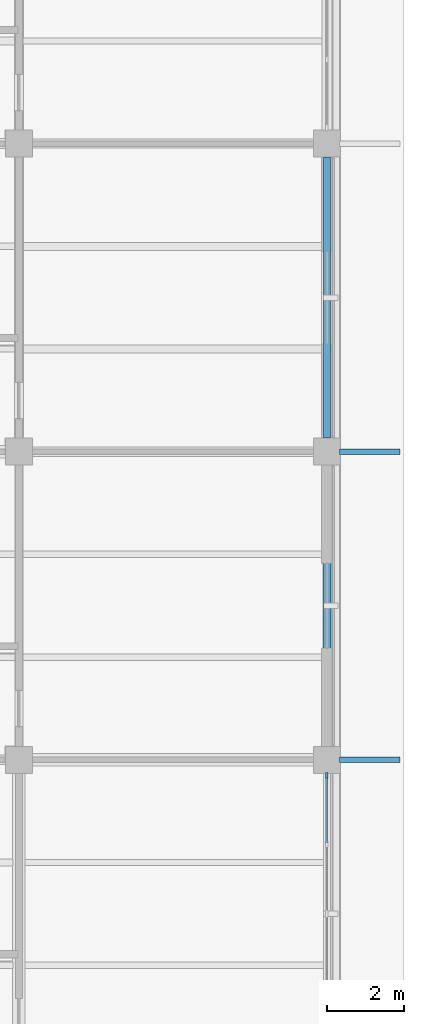
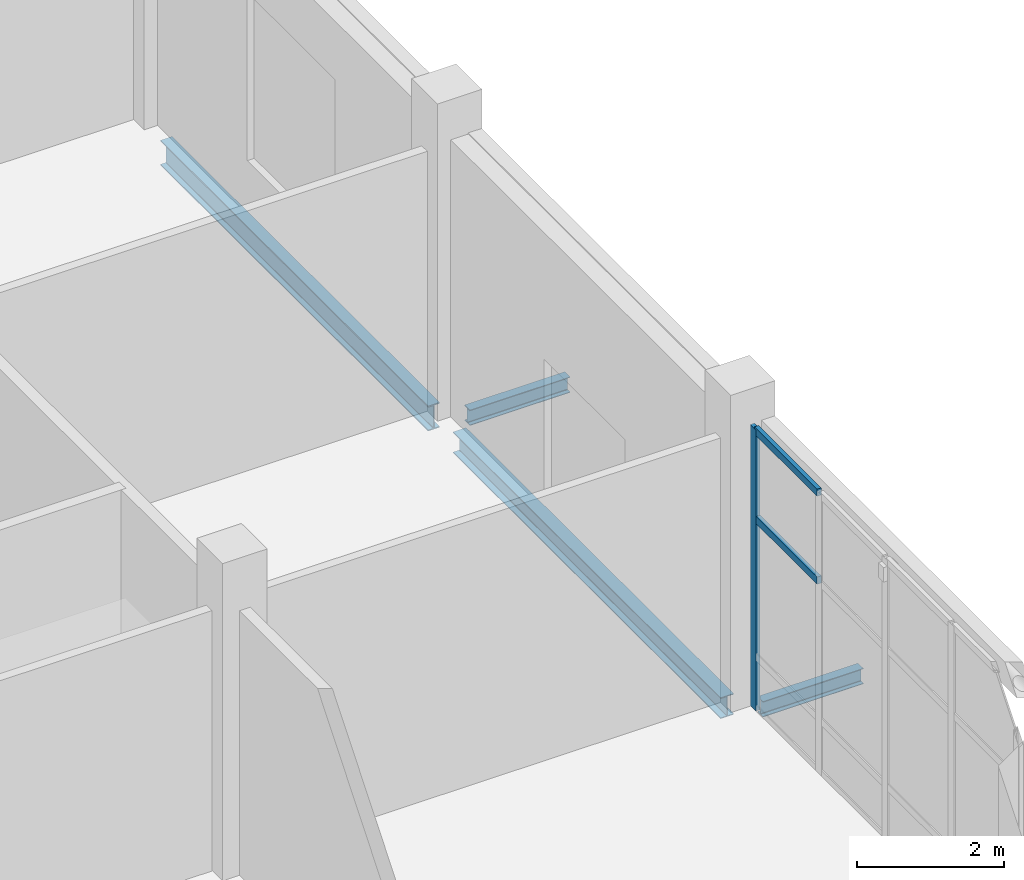
# One storey, part 41 of 105: 4 beams, 3 members, 1 element without a shape of its own.
"""IFC4 building model written with IfcOpenShell, lengths in metres."""

from ifc_helpers import new_model, si_unit, derived_unit, direction, frame, origin, origin_2d, place, context, subcontext, project, spatial, rectangle, i_section, extrude, material, layer, layer_set, material_profile, profile_set, type_object, element, aggregate, save


model = new_model("IFC4")

# Units and contexts
model_context = context("Model", 3, precision=1e-05, world=origin(), true_north=direction((0.0, 1.0)))
body_context = subcontext(model_context, "Body", "Model", "MODEL_VIEW")
ifc_project = project(units=[si_unit("LENGTHUNIT", "METRE"), si_unit("AREAUNIT", "SQUARE_METRE"), si_unit("VOLUMEUNIT", "CUBIC_METRE"), si_unit("PLANEANGLEUNIT", "RADIAN"), si_unit("MASSUNIT", "GRAM", prefix="KILO"), derived_unit("THERMALTRANSMITTANCEUNIT", [(si_unit("MASSUNIT", "GRAM", prefix="KILO"), 1), (si_unit("TIMEUNIT", "SECOND"), -3), (si_unit("THERMODYNAMICTEMPERATUREUNIT", "KELVIN"), -1)])], contexts=[model_context])

# Site, building, storey
site_placement = place(None, origin())
site = spatial("IfcSite", under=ifc_project, at=site_placement, CompositionType="ELEMENT")
building_placement = place(site_placement, origin())
building = spatial("IfcBuilding", under=site, at=building_placement, Name="Veyamyaing Civic Hall", CompositionType="ELEMENT")
storey_placement = place(building_placement, origin())
storey = spatial("IfcBuildingStorey", under=building, at=storey_placement, Name="L00", CompositionType="ELEMENT", Elevation=0.0)

# Beams
ifc_material_1 = material(Name="Steel ASTM A992", Category="steel")
ifc_material_profile_1 = material_profile(ifc_material_1, i_section(OverallWidth=0.2041015625, OverallDepth=0.35009765625, WebThickness=0.0078125, FlangeThickness=0.01513671875, FilletRadius=0.010009765625, at=origin_2d()), Name="W360X72")
ifc_profile_set_1 = profile_set([ifc_material_profile_1], Name="Steel ASTM A992")
beam_type_1 = type_object("IfcBeamType", Name="B-11", PredefinedType="SPANDREL", material=ifc_profile_set_1)
beam_1_placement = place(storey_placement, frame((176.0, 48.35009765625, -0.43994140625), z_axis=(0.0, 1.0, 0.0), x_axis=(-1.0, 0.0, 0.0)))
element("IfcBeam", 1, at=beam_1_placement, inside=storey, type_object=beam_type_1, Name="Girder B-11 L00 Grid 23 G-H", PredefinedType="SPANDREL", context=body_context, shape_type="SweptSolid", body=[
    extrude(i_section(OverallWidth=0.2041015625, OverallDepth=0.35009765625, WebThickness=0.0078125, FlangeThickness=0.01513671875, FilletRadius=0.010009765625, at=origin_2d()), origin(), (0.0, 0.0, 1.0), 7.2998046875),
])
ifc_material_profile_2 = material_profile(ifc_material_1, i_section(OverallWidth=0.14599609375, OverallDepth=0.258056640625, WebThickness=0.006103515625, FlangeThickness=0.009033203125, FilletRadius=0.010009765625, at=origin_2d()), Name="W250X33")
ifc_profile_set_2 = profile_set([ifc_material_profile_2], Name="Steel ASTM A992")
beam_type_2 = type_object("IfcBeamType", Name="B-12", PredefinedType="BEAM", material=ifc_profile_set_2)
for number, where, z_axis, x_axis, name in (
    (2, (176.320068359375, 48.0, -0.34912109375), (1.0, 0.0, 0.0), (0.0, 1.0, 0.0), "Colonnade deck transverse beam B-12 E.6"),
    (3, (176.320068359375, 56.0, -0.34912109375), (1.0, 0.0, 0.0), (0.0, 1.0, 0.0), "Colonnade deck transverse beam B-12 E.7"),
):
    element("IfcBeam", number, at=place(storey_placement, frame(where, z_axis=z_axis, x_axis=x_axis)), inside=storey, type_object=beam_type_2, Name=name, PredefinedType="BEAM", context=body_context, shape_type="SweptSolid", body=[
        extrude(i_section(OverallWidth=0.14599609375, OverallDepth=0.258056640625, WebThickness=0.006103515625, FlangeThickness=0.009033203125, FilletRadius=0.010009765625, at=origin_2d()), origin(), (0.0, 0.0, 1.0), 1.579833984375),
    ])
ifc_material_profile_3 = material_profile(ifc_material_1, i_section(OverallWidth=0.180908203125, OverallDepth=0.4169921875, WebThickness=0.010986328125, FlangeThickness=0.018310546875, FilletRadius=0.010009765625, at=origin_2d()), Name="W410X85")
ifc_profile_set_3 = profile_set([ifc_material_profile_3], Name="Steel ASTM A992")
beam_type_3 = type_object("IfcBeamType", Name="B-19", PredefinedType="SPANDREL", material=ifc_profile_set_3)
beam_2_placement = place(storey_placement, frame((176.0, 56.35009765625, -0.473388671875), z_axis=(0.0, 1.0, 0.0), x_axis=(-1.0, 0.0, 0.0)))
element("IfcBeam", 4, at=beam_2_placement, inside=storey, type_object=beam_type_3, Name="Girder B-19 L00 Grid 23 H-J", PredefinedType="SPANDREL", context=body_context, shape_type="SweptSolid", body=[
    extrude(i_section(OverallWidth=0.180908203125, OverallDepth=0.4169921875, WebThickness=0.010986328125, FlangeThickness=0.018310546875, FilletRadius=0.010009765625, at=origin_2d()), origin(), (0.0, 0.0, 1.0), 7.2998046875),
])

# Curtain wall, members
ifc_material_2 = material(Name="Anodised aluminium 6063-T6", Category="aluminium")
ifc_layer = layer(ifc_material_2, 0.159912109375, Name="Anodised aluminium 6063-T6")
ifc_layer_set = layer_set([ifc_layer], Name="Anodised aluminium 6063-T6")
curtain_wall_type = type_object("IfcCurtainWallType", Name="CW-01", PredefinedType="NOTDEFINED", material=ifc_layer_set)
curtain_wall_placement = place(storey_placement, origin())
curtain_wall = element("IfcCurtainWall", 5, at=curtain_wall_placement, inside=storey, type_object=curtain_wall_type, Name="Unitized curtain wall CW-01 L00 E 22.6", PredefinedType="NOTDEFINED")
ifc_material_profile_4 = material_profile(ifc_material_2, rectangle(XDim=0.06494140625, YDim=0.159912109375, at=origin_2d()), Name="ALU-MUL-65X160")
ifc_profile_set_4 = profile_set([ifc_material_profile_4], Name="Anodised aluminium 6063-T6")
member_type_1 = type_object("IfcMemberType", Name="CWM-01", PredefinedType="MULLION", material=ifc_profile_set_4)
member_1_placement = place(storey_placement, frame((176.0, 47.58740234375, 0.0), z_axis=(0.0, 0.0, 1.0), x_axis=(-1.0, 0.0, 0.0)))
member_1 = element("IfcMember", 6, at=member_1_placement, type_object=member_type_1, Name="CW-01 mullion 5", PredefinedType="MULLION", context=body_context, shape_type="SweptSolid", body=[
    extrude(rectangle(XDim=0.06494140625, YDim=0.159912109375, at=origin_2d()), origin(), (0.0, 0.0, 1.0), 4.677001953125),
])
ifc_material_profile_5 = material_profile(ifc_material_2, rectangle(XDim=0.06494140625, YDim=0.1201171875, at=origin_2d()), Name="ALU-TRN-65X120")
ifc_profile_set_5 = profile_set([ifc_material_profile_5], Name="Anodised aluminium 6063-T6")
member_type_2 = type_object("IfcMemberType", Name="CWT-01", PredefinedType="USERDEFINED", material=ifc_profile_set_5)
member_2_placement = place(storey_placement, frame((176.0, 45.842529296875, 3.180419921875), z_axis=(0.0, 1.0, 0.0), x_axis=(-1.0, 0.0, 0.0)))
member_2 = element("IfcMember", 7, at=member_2_placement, type_object=member_type_2, Name="CW-01 transom 4.3", ObjectType="TRANSOM", PredefinedType="USERDEFINED", context=body_context, shape_type="SweptSolid", body=[
    extrude(rectangle(XDim=0.06494140625, YDim=0.1201171875, at=origin_2d()), origin(), (0.0, 0.0, 1.0), 1.71240234375),
])
member_3_placement = place(storey_placement, frame((176.0, 45.842529296875, 4.64453125), z_axis=(0.0, 1.0, 0.0), x_axis=(-1.0, 0.0, 0.0)))
member_3 = element("IfcMember", 8, at=member_3_placement, type_object=member_type_2, Name="CW-01 transom 4.4", ObjectType="TRANSOM", PredefinedType="USERDEFINED", context=body_context, shape_type="SweptSolid", body=[
    extrude(rectangle(XDim=0.06494140625, YDim=0.1201171875, at=origin_2d()), origin(), (0.0, 0.0, 1.0), 1.71240234375),
])
aggregate(curtain_wall, [member_1, member_2, member_3])

save(model, "model.ifc")
